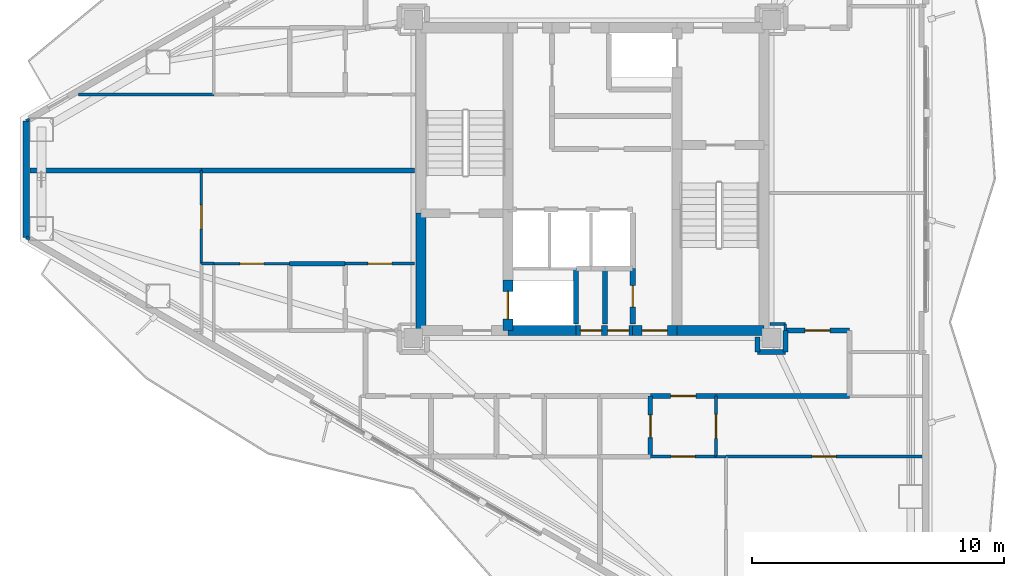
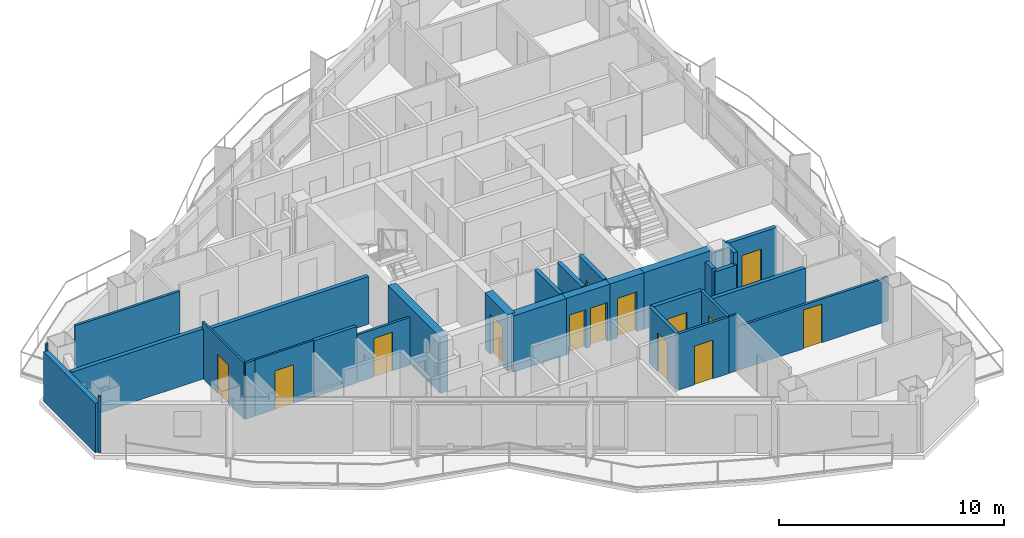
# One storey, part 13 of 19: 33 walls, 14 doors, 14 openings.
"""IFC4 building model written with IfcOpenShell, lengths in metres."""

from ifc_helpers import new_model, si_unit, direction, frame, frame_2d, origin, place, context, subcontext, project, spatial, rectangle, extrude, material, layer, layer_set, type_object, element, fill, save


model = new_model("IFC4")

# Units and contexts
model_context = context("Model", 3, precision=1e-05, world=origin(), true_north=direction((0.0, 1.0)))
body_context = subcontext(model_context, "Body", "Model", "MODEL_VIEW")
ifc_project = project(units=[si_unit("LENGTHUNIT", "METRE"), si_unit("AREAUNIT", "SQUARE_METRE"), si_unit("VOLUMEUNIT", "CUBIC_METRE"), si_unit("PLANEANGLEUNIT", "RADIAN"), si_unit("MASSUNIT", "GRAM", prefix="KILO")], contexts=[model_context])

# Site, building, storey
site_placement = place(None, origin())
site = spatial("IfcSite", under=ifc_project, at=site_placement, CompositionType="ELEMENT")
building_placement = place(site_placement, origin())
building = spatial("IfcBuilding", under=site, at=building_placement, Name="Mersakhor Tower and Convention Hall", CompositionType="ELEMENT")
storey_placement = place(building_placement, frame((0.0, 0.0, 144.300048828125)))
storey = spatial("IfcBuildingStorey", under=building, at=storey_placement, Name="L40", CompositionType="ELEMENT", Elevation=144.300048828125)

# Wall
ifc_material_1 = material(Name="Precast concrete C40/50", Category="concrete")
ifc_layer_1 = layer(ifc_material_1, 0.25)
ifc_layer_set_1 = layer_set([ifc_layer_1], Name="Precast concrete C40/50")
wall_type_1 = type_object("IfcWallType", Name="WL-EXT-250", PredefinedType="SOLIDWALL", material=ifc_layer_set_1)
wall_1_placement = place(storey_placement, frame((6.560302734375, 24.44140625, 0.0), z_axis=(0.0, 0.0, 1.0), x_axis=(0.0, 1.0, 0.0)))
element("IfcWall", 1, at=wall_1_placement, inside=storey, type_object=wall_type_1, Name="L40 Chamfer Braced Spandrel Wall C3", PredefinedType="SOLIDWALL", context=body_context, shape_type="SweptSolid", body=[
    extrude(rectangle(XDim=4.6171875, YDim=0.25, at=frame_2d((2.30859375, 0.0))), origin(), (0.0, 0.0, 1.0), 2.679931640625),
])

# Wall, opening, door
ifc_material_2 = material(Name="Moisture-resistant acoustic drywall studwork", Category="other")
ifc_layer_2 = layer(ifc_material_2, 0.175048828125)
ifc_layer_set_2 = layer_set([ifc_layer_2], Name="Moisture-resistant acoustic drywall studwork")
wall_type_2 = type_object("IfcWallType", Name="WL-PLM-175", PredefinedType="PLUMBINGWALL", material=ifc_layer_set_2)
wall_2_placement = place(storey_placement, frame((31.300048828125, 15.75, 0.0), z_axis=(0.0, 0.0, 1.0), x_axis=(0.0, 1.0, 0.0)))
wall_2 = element("IfcWall", 2, at=wall_2_placement, inside=storey, type_object=wall_type_2, Name="L40 Interior Partition Wall P-056", PredefinedType="PLUMBINGWALL", context=body_context, shape_type="SweptSolid", body=[
    extrude(rectangle(XDim=2.39990234375, YDim=0.175048828125, at=frame_2d((1.199951171875, 0.0))), origin(), (0.0, 0.0, 1.0), 3.06005859375),
])
opening_1_placement = place(wall_2_placement, frame((0.75, 0.0, 0.0)))
opening_1 = element("IfcOpeningElement", 3, at=opening_1_placement, cuts=wall_2, Name="Opening WD-01", PredefinedType="OPENING", context=body_context, shape_type="SweptSolid", body=[
    extrude(rectangle(XDim=0.89990234375, YDim=2.10009765625, at=frame_2d((0.449951171875, 1.050048828125))), frame((0.0, 0.097412109375, 0.0), z_axis=(0.0, -1.0, 0.0), x_axis=(1.0, 0.0, 0.0)), (0.0, 0.0, 1.0), 0.195068359375),
])
ifc_material_3 = material(Name="Solid-core hardwood leaf in painted steel frame", Category="steel")
door_type_1 = type_object("IfcDoorType", Name="DR-INT-WET-090x210", OperationType="NOTDEFINED", PredefinedType="DOOR", material=ifc_material_3)
door_1_placement = place(opening_1_placement, origin())
door_1 = element("IfcDoor", 4, at=door_1_placement, inside=storey, type_object=door_type_1, Name="L40 L40 Flat S4 Apartment Hall to L40 Flat S4 Bathroom Door", OperationType="SINGLE_SWING_LEFT", OverallHeight=2.10009765625, OverallWidth=0.89990234375, PredefinedType="DOOR", context=body_context, shape_type="SweptSolid", body=[
    extrude(rectangle(XDim=0.89990234375, YDim=2.10009765625, at=frame_2d((0.449951171875, 1.050048828125))), frame((0.0, 0.02490234375, 0.0), z_axis=(0.0, -1.0, 0.0), x_axis=(1.0, 0.0, 0.0)), (0.0, 0.0, 1.0), 0.050048828125),
])
fill(opening_1, door_1)

# Walls
wall_3_placement = place(storey_placement, frame((17.0, 23.39990234375, 0.0), z_axis=(0.0, 0.0, 1.0), x_axis=(1.0, 0.0, 0.0)))
element("IfcWall", 5, at=wall_3_placement, inside=storey, type_object=wall_type_2, Name="L40 Interior Partition Wall P-091", PredefinedType="PLUMBINGWALL", context=body_context, shape_type="SweptSolid", body=[
    extrude(rectangle(XDim=2.199951171875, YDim=0.175048828125, at=frame_2d((1.10009765625, 0.0))), origin(), (0.0, 0.0, 1.0), 3.06005859375),
])
ifc_material_4 = material(Name="Lightweight gypsum partition", Category="other")
ifc_layer_3 = layer(ifc_material_4, 0.10009765625)
ifc_layer_set_3 = layer_set([ifc_layer_3], Name="Lightweight gypsum partition")
wall_type_3 = type_object("IfcWallType", Name="WL-PRT-100", PredefinedType="PARTITIONING", material=ifc_layer_set_3)
wall_4_placement = place(storey_placement, frame((34.300048828125, 15.75, 0.0), z_axis=(0.0, 0.0, 1.0), x_axis=(-1.0, 0.0, 0.0)))
element("IfcWall", 6, at=wall_4_placement, inside=storey, type_object=wall_type_3, Name="L40 Interior Partition Wall P-084", PredefinedType="PARTITIONING", context=body_context, shape_type="SweptSolid", body=[
    extrude(rectangle(XDim=0.400146484375, YDim=0.10009765625, at=frame_2d((0.2001953125, 0.0))), origin(), (0.0, 0.0, 1.0), 3.06005859375),
])

# Wall, opening, door
wall_5_placement = place(storey_placement, frame((14.0, 23.39990234375, 0.0), z_axis=(0.0, 0.0, 1.0), x_axis=(1.0, 0.0, 0.0)))
wall_5 = element("IfcWall", 7, at=wall_5_placement, inside=storey, type_object=wall_type_3, Name="L40 Interior Partition Wall P-094", PredefinedType="PARTITIONING", context=body_context, shape_type="SweptSolid", body=[
    extrude(rectangle(XDim=3.0, YDim=0.10009765625, at=frame_2d((1.5, 0.0))), origin(), (0.0, 0.0, 1.0), 3.06005859375),
])
opening_2_placement = place(wall_5_placement, frame((1.02490234375, 0.0, 0.0)))
opening_2 = element("IfcOpeningElement", 8, at=opening_2_placement, cuts=wall_5, Name="Opening RD-01", PredefinedType="OPENING", context=body_context, shape_type="SweptSolid", body=[
    extrude(rectangle(XDim=0.949951171875, YDim=2.10009765625, at=frame_2d((0.47509765625, 1.050048828125))), frame((0.0, 0.06005859375, 0.0), z_axis=(0.0, -1.0, 0.0), x_axis=(1.0, 0.0, 0.0)), (0.0, 0.0, 1.0), 0.1201171875),
])
ifc_material_5 = material(Name="Solid-core hardwood leaf in painted steel frame", Category="steel")
door_type_2 = type_object("IfcDoorType", Name="DR-INT-RM-095x210", OperationType="NOTDEFINED", PredefinedType="DOOR", material=ifc_material_5)
door_2_placement = place(opening_2_placement, origin())
door_2 = element("IfcDoor", 9, at=door_2_placement, inside=storey, type_object=door_type_2, Name="L40 L40 Flat W6 Kitchen to L40 Flat W6 Living and Dining Room Door", OperationType="SINGLE_SWING_RIGHT", OverallHeight=2.10009765625, OverallWidth=0.949951171875, PredefinedType="DOOR", context=body_context, shape_type="SweptSolid", body=[
    extrude(rectangle(XDim=0.949951171875, YDim=2.10009765625, at=frame_2d((0.47509765625, 1.050048828125))), frame((0.0, 0.02490234375, 0.0), z_axis=(0.0, -1.0, 0.0), x_axis=(1.0, 0.0, 0.0)), (0.0, 0.0, 1.0), 0.050048828125),
])
fill(opening_2, door_2)

# Walls
wall_6_placement = place(storey_placement, frame((36.64990234375, 20.75, 0.0), z_axis=(0.0, 0.0, 1.0), x_axis=(0.0, 1.0, 0.0)))
element("IfcWall", 10, at=wall_6_placement, inside=storey, type_object=wall_type_3, Name="L40 Interior Partition Wall P-104", PredefinedType="PARTITIONING", context=body_context, shape_type="SweptSolid", body=[
    extrude(rectangle(XDim=0.25, YDim=0.10009765625, at=frame_2d((0.125, 0.0))), origin(), (0.0, 0.0, 1.0), 3.06005859375),
])
wall_7_placement = place(storey_placement, frame((6.56005859375, 29.05908203125, 0.0), z_axis=(0.0, 0.0, 1.0), x_axis=(0.866131372301, 0.499816412211, 0.0)))
element("IfcWall", 11, at=wall_7_placement, inside=storey, type_object=wall_type_3, Name="L40 Interior Partition Wall P-134", PredefinedType="PARTITIONING", context=body_context, shape_type="SweptSolid", body=[
    extrude(rectangle(XDim=0.14990234375, YDim=0.10009765625, at=frame_2d((0.074951171875, 0.0))), origin(), (0.0, 0.0, 1.0), 3.06005859375),
])

# Wall, opening, door
wall_8_placement = place(storey_placement, frame((13.5, 23.39990234375, 0.0), z_axis=(0.0, 0.0, 1.0), x_axis=(0.0, 1.0, 0.0)))
wall_8 = element("IfcWall", 12, at=wall_8_placement, inside=storey, type_object=wall_type_3, Name="L40 Interior Partition Wall P-136", PredefinedType="PARTITIONING", context=body_context, shape_type="SweptSolid", body=[
    extrude(rectangle(XDim=3.7001953125, YDim=0.10009765625, at=frame_2d((1.85009765625, 0.0))), origin(), (0.0, 0.0, 1.0), 3.06005859375),
])
opening_3_placement = place(wall_8_placement, frame((1.375, 0.0, 0.0)))
opening_3 = element("IfcOpeningElement", 13, at=opening_3_placement, cuts=wall_8, Name="Opening RD-01", PredefinedType="OPENING", context=body_context, shape_type="SweptSolid", body=[
    extrude(rectangle(XDim=0.949951171875, YDim=2.10009765625, at=frame_2d((0.47509765625, 1.050048828125))), frame((0.0, 0.06005859375, 0.0), z_axis=(0.0, -1.0, 0.0), x_axis=(1.0, 0.0, 0.0)), (0.0, 0.0, 1.0), 0.1201171875),
])
door_3_placement = place(opening_3_placement, origin())
door_3 = element("IfcDoor", 14, at=door_3_placement, inside=storey, type_object=door_type_2, Name="L40 L40 Flat W6 Living and Dining Room to L40 Flat W6 Bedroom 1 Door", OperationType="SINGLE_SWING_RIGHT", OverallHeight=2.10009765625, OverallWidth=0.949951171875, PredefinedType="DOOR", context=body_context, shape_type="SweptSolid", body=[
    extrude(rectangle(XDim=0.949951171875, YDim=2.10009765625, at=frame_2d((0.47509765625, 1.050048828125))), frame((0.0, 0.02490234375, 0.0), z_axis=(0.0, -1.0, 0.0), x_axis=(1.0, 0.0, 0.0)), (0.0, 0.0, 1.0), 0.050048828125),
])
fill(opening_3, door_3)

ifc_material_6 = material(Name="Gypsum board acoustic partition", Category="other")
ifc_layer_4 = layer(ifc_material_6, 0.125)
ifc_layer_set_4 = layer_set([ifc_layer_4], Name="Gypsum board acoustic partition")
wall_type_4 = type_object("IfcWallType", Name="WL-PRT-125", PredefinedType="PARTITIONING", material=ifc_layer_set_4)
wall_9_placement = place(storey_placement, frame((33.89990234375, 15.75, 0.0), z_axis=(0.0, 0.0, 1.0), x_axis=(-1.0, 0.0, 0.0)))
wall_9 = element("IfcWall", 15, at=wall_9_placement, inside=storey, type_object=wall_type_4, Name="L40 Interior Partition Wall P-055", PredefinedType="PARTITIONING", context=body_context, shape_type="SweptSolid", body=[
    extrude(rectangle(XDim=2.599853515625, YDim=0.125, at=frame_2d((1.2998046875, 0.0))), origin(), (0.0, 0.0, 1.0), 3.06005859375),
])
opening_4_placement = place(wall_9_placement, frame((0.824951171875, 0.0, 0.0)))
opening_4 = element("IfcOpeningElement", 16, at=opening_4_placement, cuts=wall_9, Name="Opening RD-01", PredefinedType="OPENING", context=body_context, shape_type="SweptSolid", body=[
    extrude(rectangle(XDim=0.949951171875, YDim=2.10009765625, at=frame_2d((0.47509765625, 1.050048828125))), frame((0.0, 0.072509765625, 0.0), z_axis=(0.0, -1.0, 0.0), x_axis=(1.0, 0.0, 0.0)), (0.0, 0.0, 1.0), 0.14501953125),
])
door_4_placement = place(opening_4_placement, origin())
door_4 = element("IfcDoor", 17, at=door_4_placement, inside=storey, type_object=door_type_2, Name="L40 L40 Flat S4 Apartment Hall to L40 Flat S4 Living and Dining Room Door", OperationType="SINGLE_SWING_LEFT", OverallHeight=2.10009765625, OverallWidth=0.949951171875, PredefinedType="DOOR", context=body_context, shape_type="SweptSolid", body=[
    extrude(rectangle(XDim=0.949951171875, YDim=2.10009765625, at=frame_2d((0.47509765625, 1.050048828125))), frame((0.0, 0.02490234375, 0.0), z_axis=(0.0, -1.0, 0.0), x_axis=(1.0, 0.0, 0.0)), (0.0, 0.0, 1.0), 0.050048828125),
])
fill(opening_4, door_4)

wall_10_placement = place(storey_placement, frame((33.89990234375, 18.14990234375, 0.0), z_axis=(0.0, 0.0, 1.0), x_axis=(0.0, -1.0, 0.0)))
wall_10 = element("IfcWall", 18, at=wall_10_placement, inside=storey, type_object=wall_type_4, Name="L40 Interior Partition Wall P-057", PredefinedType="PARTITIONING", context=body_context, shape_type="SweptSolid", body=[
    extrude(rectangle(XDim=2.39990234375, YDim=0.125, at=frame_2d((1.199951171875, 0.0))), origin(), (0.0, 0.0, 1.0), 3.06005859375),
])
opening_5_placement = place(wall_10_placement, frame((0.72509765625, 0.0, 0.0)))
opening_5 = element("IfcOpeningElement", 19, at=opening_5_placement, cuts=wall_10, Name="Opening RD-01", PredefinedType="OPENING", context=body_context, shape_type="SweptSolid", body=[
    extrude(rectangle(XDim=0.949951171875, YDim=2.10009765625, at=frame_2d((0.47509765625, 1.050048828125))), frame((0.0, 0.072509765625, 0.0), z_axis=(0.0, -1.0, 0.0), x_axis=(1.0, 0.0, 0.0)), (0.0, 0.0, 1.0), 0.14501953125),
])
door_5_placement = place(opening_5_placement, origin())
door_5 = element("IfcDoor", 20, at=door_5_placement, inside=storey, type_object=door_type_2, Name="L40 L40 Flat S4 Apartment Hall to L40 Flat S4 Kitchen Door", OperationType="SINGLE_SWING_RIGHT", OverallHeight=2.10009765625, OverallWidth=0.949951171875, PredefinedType="DOOR", context=body_context, shape_type="SweptSolid", body=[
    extrude(rectangle(XDim=0.949951171875, YDim=2.10009765625, at=frame_2d((0.47509765625, 1.050048828125))), frame((0.0, 0.02490234375, 0.0), z_axis=(0.0, -1.0, 0.0), x_axis=(1.0, 0.0, 0.0)), (0.0, 0.0, 1.0), 0.050048828125),
])
fill(opening_5, door_5)

wall_11_placement = place(storey_placement, frame((19.199951171875, 23.39990234375, 0.0), z_axis=(0.0, 0.0, 1.0), x_axis=(1.0, 0.0, 0.0)))
wall_11 = element("IfcWall", 21, at=wall_11_placement, inside=storey, type_object=wall_type_4, Name="L40 Interior Partition Wall P-065", PredefinedType="PARTITIONING", context=body_context, shape_type="SweptSolid", body=[
    extrude(rectangle(XDim=2.75, YDim=0.125, at=frame_2d((1.375, 0.0))), origin(), (0.0, 0.0, 1.0), 2.5849609375),
])
opening_6_placement = place(wall_11_placement, frame((0.89990234375, 0.0, 0.0)))
opening_6 = element("IfcOpeningElement", 22, at=opening_6_placement, cuts=wall_11, Name="Opening RD-01", PredefinedType="OPENING", context=body_context, shape_type="SweptSolid", body=[
    extrude(rectangle(XDim=0.949951171875, YDim=2.10009765625, at=frame_2d((0.47509765625, 1.050048828125))), frame((0.0, 0.072509765625, 0.0), z_axis=(0.0, -1.0, 0.0), x_axis=(1.0, 0.0, 0.0)), (0.0, 0.0, 1.0), 0.14501953125),
])
door_6_placement = place(opening_6_placement, origin())
door_6 = element("IfcDoor", 23, at=door_6_placement, inside=storey, type_object=door_type_2, Name="L40 L40 Flat W6 Apartment Hall to L40 Flat W6 Living and Dining Room Door", OperationType="SINGLE_SWING_LEFT", OverallHeight=2.10009765625, OverallWidth=0.949951171875, PredefinedType="DOOR", context=body_context, shape_type="SweptSolid", body=[
    extrude(rectangle(XDim=0.949951171875, YDim=2.10009765625, at=frame_2d((0.47509765625, 1.050048828125))), frame((0.0, 0.02490234375, 0.0), z_axis=(0.0, -1.0, 0.0), x_axis=(1.0, 0.0, 0.0)), (0.0, 0.0, 1.0), 0.050048828125),
])
fill(opening_6, door_6)

wall_12_placement = place(storey_placement, frame((42.0703125, 15.75, 0.0), z_axis=(0.0, 0.0, 1.0), x_axis=(-1.0, 0.0, 0.0)))
wall_12 = element("IfcWall", 24, at=wall_12_placement, inside=storey, type_object=wall_type_4, Name="L40 Interior Partition Wall P-083", PredefinedType="PARTITIONING", context=body_context, shape_type="SweptSolid", body=[
    extrude(rectangle(XDim=7.770263671875, YDim=0.125, at=frame_2d((3.88525390625, 0.0))), origin(), (0.0, 0.0, 1.0), 2.364990234375),
])
opening_7_placement = place(wall_12_placement, frame((3.41015625, 0.0, 0.0)))
opening_7 = element("IfcOpeningElement", 25, at=opening_7_placement, cuts=wall_12, Name="Opening RD-01", PredefinedType="OPENING", context=body_context, shape_type="SweptSolid", body=[
    extrude(rectangle(XDim=0.949951171875, YDim=2.10009765625, at=frame_2d((0.47509765625, 1.050048828125))), frame((0.0, 0.072509765625, 0.0), z_axis=(0.0, -1.0, 0.0), x_axis=(1.0, 0.0, 0.0)), (0.0, 0.0, 1.0), 0.14501953125),
])
door_7_placement = place(opening_7_placement, origin())
door_7 = element("IfcDoor", 26, at=door_7_placement, inside=storey, type_object=door_type_2, Name="L40 L40 Flat S4 Kitchen to L40 Flat S4 Dining Room Door", OperationType="SINGLE_SWING_RIGHT", OverallHeight=2.10009765625, OverallWidth=0.949951171875, PredefinedType="DOOR", context=body_context, shape_type="SweptSolid", body=[
    extrude(rectangle(XDim=0.949951171875, YDim=2.10009765625, at=frame_2d((0.47509765625, 1.050048828125))), frame((0.0, 0.02490234375, 0.0), z_axis=(0.0, -1.0, 0.0), x_axis=(1.0, 0.0, 0.0)), (0.0, 0.0, 1.0), 0.050048828125),
])
fill(opening_7, door_7)

# Walls
wall_13_placement = place(storey_placement, frame((36.64990234375, 21.0, 0.0), z_axis=(0.0, 0.0, 1.0), x_axis=(-1.0, 0.0, 0.0)))
element("IfcWall", 27, at=wall_13_placement, inside=storey, type_object=wall_type_4, Name="L40 Interior Partition Wall P-105", PredefinedType="PARTITIONING", context=body_context, shape_type="SweptSolid", body=[
    extrude(rectangle(XDim=0.599853515625, YDim=0.125, at=frame_2d((0.2998046875, 0.0))), origin(), (0.0, 0.0, 1.0), 2.5849609375),
])
wall_14_placement = place(storey_placement, frame((8.634765625, 30.10009765625, 0.0), z_axis=(0.0, 0.0, 1.0), x_axis=(1.0, 0.0, 0.0)))
element("IfcWall", 28, at=wall_14_placement, inside=storey, type_object=wall_type_4, Name="L40 Interior Partition Wall P-131", PredefinedType="PARTITIONING", context=body_context, shape_type="SweptSolid", body=[
    extrude(rectangle(XDim=5.365234375, YDim=0.125, at=frame_2d((2.6826171875, 0.0))), origin(), (0.0, 0.0, 1.0), 2.724365234375),
])
wall_15_placement = place(storey_placement, frame((14.0, 23.39990234375, 0.0), z_axis=(0.0, 0.0, 1.0), x_axis=(-1.0, 0.0, 0.0)))
element("IfcWall", 29, at=wall_15_placement, inside=storey, type_object=wall_type_4, Name="L40 Interior Partition Wall P-135", PredefinedType="PARTITIONING", context=body_context, shape_type="SweptSolid", body=[
    extrude(rectangle(XDim=0.5, YDim=0.125, at=frame_2d((0.25, 0.0))), origin(), (0.0, 0.0, 1.0), 3.06005859375),
])
wall_16_placement = place(storey_placement, frame((6.68994140625, 24.365966796875, 0.0), z_axis=(0.0, 0.0, 1.0), x_axis=(-0.866131372301, 0.499816412211, 0.0)))
element("IfcWall", 30, at=wall_16_placement, inside=storey, type_object=wall_type_4, Name="L40 Interior Partition Wall P-139", PredefinedType="PARTITIONING", context=body_context, shape_type="SweptSolid", body=[
    extrude(rectangle(XDim=0.14990234375, YDim=0.125, at=frame_2d((0.074951171875, 0.0))), origin(), (0.0, 0.0, 1.0), 3.06005859375),
])
ifc_material_7 = material(Name="Acoustic concrete blockwork and gypsum board", Category="masonry")
ifc_layer_5 = layer(ifc_material_7, 0.199951171875)
ifc_layer_set_5 = layer_set([ifc_layer_5], Name="Acoustic concrete blockwork and gypsum board")
wall_type_5 = type_object("IfcWallType", Name="WL-PRT-200", PredefinedType="PARTITIONING", material=ifc_layer_set_5)
wall_17_placement = place(storey_placement, frame((28.35009765625, 23.199951171875, 0.0), z_axis=(0.0, 0.0, 1.0), x_axis=(0.0, -1.0, 0.0)))
element("IfcWall", 31, at=wall_17_placement, inside=storey, type_object=wall_type_5, Name="L40 Interior Partition Wall P-003", PredefinedType="PARTITIONING", context=body_context, shape_type="SweptSolid", body=[
    extrude(rectangle(XDim=2.199951171875, YDim=0.199951171875, at=frame_2d((1.10009765625, 0.0))), origin(), (0.0, 0.0, 1.0), 3.06005859375),
])

# Wall, opening, door
wall_18_placement = place(storey_placement, frame((30.60009765625, 21.0, 0.0), z_axis=(0.0, 0.0, 1.0), x_axis=(0.0, 1.0, 0.0)))
wall_18 = element("IfcWall", 32, at=wall_18_placement, inside=storey, type_object=wall_type_5, Name="L40 Interior Partition Wall P-012", PredefinedType="PARTITIONING", context=body_context, shape_type="SweptSolid", body=[
    extrude(rectangle(XDim=2.199951171875, YDim=0.199951171875, at=frame_2d((1.10009765625, 0.0))), origin(), (0.0, 0.0, 1.0), 3.06005859375),
])
opening_8_placement = place(wall_18_placement, frame((0.675048828125, 0.0, 0.0)))
opening_8 = element("IfcOpeningElement", 33, at=opening_8_placement, cuts=wall_18, Name="Opening SVD-01", PredefinedType="OPENING", context=body_context, shape_type="SweptSolid", body=[
    extrude(rectangle(XDim=0.85009765625, YDim=2.10009765625, at=frame_2d((0.425048828125, 1.050048828125))), frame((0.0, 0.10986328125, 0.0), z_axis=(0.0, -1.0, 0.0), x_axis=(1.0, 0.0, 0.0)), (0.0, 0.0, 1.0), 0.219970703125),
])
ifc_material_8 = material(Name="Fire-rated hardwood leaf and painted steel frame", Category="steel")
door_type_3 = type_object("IfcDoorType", Name="DR-INT-SVC-085x210", OperationType="NOTDEFINED", PredefinedType="DOOR", material=ifc_material_8)
door_8_placement = place(opening_8_placement, origin())
door_8 = element("IfcDoor", 34, at=door_8_placement, inside=storey, type_object=door_type_3, Name="L40 Central Passenger Lift Lobby to Cleaner Store Room Door", OperationType="SINGLE_SWING_RIGHT", OverallHeight=2.10009765625, OverallWidth=0.85009765625, PredefinedType="DOOR", context=body_context, shape_type="SweptSolid", body=[
    extrude(rectangle(XDim=0.85009765625, YDim=2.10009765625, at=frame_2d((0.425048828125, 1.050048828125))), frame((0.0, 0.02490234375, 0.0), z_axis=(0.0, -1.0, 0.0), x_axis=(1.0, 0.0, 0.0)), (0.0, 0.0, 1.0), 0.050048828125),
])
fill(opening_8, door_8)

# Walls
wall_19_placement = place(storey_placement, frame((35.550048828125, 20.5, 0.0), z_axis=(0.0, 0.0, 1.0), x_axis=(0.0, -1.0, 0.0)))
element("IfcWall", 35, at=wall_19_placement, inside=storey, type_object=wall_type_5, Name="L40 Interior Partition Wall P-035", PredefinedType="PARTITIONING", context=body_context, shape_type="SweptSolid", body=[
    extrude(rectangle(XDim=0.60009765625, YDim=0.199951171875, at=frame_2d((0.300048828125, 0.0))), origin(), (0.0, 0.0, 1.0), 2.5849609375),
])
wall_20_placement = place(storey_placement, frame((35.550048828125, 19.89990234375, 0.0), z_axis=(0.0, 0.0, 1.0), x_axis=(1.0, 0.0, 0.0)))
element("IfcWall", 36, at=wall_20_placement, inside=storey, type_object=wall_type_5, Name="L40 Interior Partition Wall P-036", PredefinedType="PARTITIONING", context=body_context, shape_type="SweptSolid", body=[
    extrude(rectangle(XDim=1.099853515625, YDim=0.199951171875, at=frame_2d((0.5498046875, 0.0))), origin(), (0.0, 0.0, 1.0), 2.432861328125),
])
wall_21_placement = place(storey_placement, frame((36.64990234375, 19.89990234375, 0.0), z_axis=(0.0, 0.0, 1.0), x_axis=(0.0, 1.0, 0.0)))
element("IfcWall", 37, at=wall_21_placement, inside=storey, type_object=wall_type_5, Name="L40 Interior Partition Wall P-037", PredefinedType="PARTITIONING", context=body_context, shape_type="SweptSolid", body=[
    extrude(rectangle(XDim=0.85009765625, YDim=0.199951171875, at=frame_2d((0.425048828125, 0.0))), origin(), (0.0, 0.0, 1.0), 3.06005859375),
])

# Wall, opening, door
wall_22_placement = place(storey_placement, frame((36.64990234375, 20.75, 0.0), z_axis=(0.0, 0.0, 1.0), x_axis=(1.0, 0.0, 0.0)))
wall_22 = element("IfcWall", 38, at=wall_22_placement, inside=storey, type_object=wall_type_5, Name="L40 Interior Partition Wall P-038", PredefinedType="PARTITIONING", context=body_context, shape_type="SweptSolid", body=[
    extrude(rectangle(XDim=2.550048828125, YDim=0.199951171875, at=frame_2d((1.27490234375, 0.0))), origin(), (0.0, 0.0, 1.0), 3.06005859375),
])
opening_9_placement = place(wall_22_placement, frame((0.77490234375, 0.0, 0.0)))
opening_9 = element("IfcOpeningElement", 39, at=opening_9_placement, cuts=wall_22, Name="Opening FD-01", PredefinedType="OPENING", context=body_context, shape_type="SweptSolid", body=[
    extrude(rectangle(XDim=1.0, YDim=2.14990234375, at=frame_2d((0.5, 1.074951171875))), frame((0.0, 0.10986328125, 0.0), z_axis=(0.0, -1.0, 0.0), x_axis=(1.0, 0.0, 0.0)), (0.0, 0.0, 1.0), 0.219970703125),
])
ifc_material_9 = material(Name="Fire-rated hardwood leaf and painted steel frame", Category="steel")
door_type_4 = type_object("IfcDoorType", Name="DR-INT-FLT-100x215", OperationType="NOTDEFINED", PredefinedType="DOOR", material=ifc_material_9)
door_9_placement = place(opening_9_placement, origin())
door_9 = element("IfcDoor", 40, at=door_9_placement, inside=storey, type_object=door_type_4, Name="L40 Residential South Gallery Corridor to L40 East Wing Shared Tea Pantry Door", OperationType="SINGLE_SWING_LEFT", OverallHeight=2.14990234375, OverallWidth=1.0, PredefinedType="DOOR", context=body_context, shape_type="SweptSolid", body=[
    extrude(rectangle(XDim=1.0, YDim=2.14990234375, at=frame_2d((0.5, 1.074951171875))), frame((0.0, 0.02490234375, 0.0), z_axis=(0.0, -1.0, 0.0), x_axis=(1.0, 0.0, 0.0)), (0.0, 0.0, 1.0), 0.050048828125),
])
fill(opening_9, door_9)

# Wall
wall_23_placement = place(storey_placement, frame((39.199951171875, 18.14990234375, 0.0), z_axis=(0.0, 0.0, 1.0), x_axis=(-1.0, 0.0, 0.0)))
element("IfcWall", 41, at=wall_23_placement, inside=storey, type_object=wall_type_5, Name="L40 Interior Partition Wall P-041", PredefinedType="PARTITIONING", context=body_context, shape_type="SweptSolid", body=[
    extrude(rectangle(XDim=5.300048828125, YDim=0.199951171875, at=frame_2d((2.64990234375, 0.0))), origin(), (0.0, 0.0, 1.0), 2.432861328125),
])

# Wall, opening, door
wall_24_placement = place(storey_placement, frame((33.89990234375, 18.14990234375, 0.0), z_axis=(0.0, 0.0, 1.0), x_axis=(-1.0, 0.0, 0.0)))
wall_24 = element("IfcWall", 42, at=wall_24_placement, inside=storey, type_object=wall_type_5, Name="L40 Interior Partition Wall P-042", PredefinedType="PARTITIONING", context=body_context, shape_type="SweptSolid", body=[
    extrude(rectangle(XDim=2.599853515625, YDim=0.199951171875, at=frame_2d((1.2998046875, 0.0))), origin(), (0.0, 0.0, 1.0), 3.06005859375),
])
opening_10_placement = place(wall_24_placement, frame((0.800048828125, 0.0, 0.0)))
opening_10 = element("IfcOpeningElement", 43, at=opening_10_placement, cuts=wall_24, Name="Opening FD-01", PredefinedType="OPENING", context=body_context, shape_type="SweptSolid", body=[
    extrude(rectangle(XDim=1.0, YDim=2.14990234375, at=frame_2d((0.5, 1.074951171875))), frame((0.0, 0.10986328125, 0.0), z_axis=(0.0, -1.0, 0.0), x_axis=(1.0, 0.0, 0.0)), (0.0, 0.0, 1.0), 0.219970703125),
])
door_10_placement = place(opening_10_placement, origin())
door_10 = element("IfcDoor", 44, at=door_10_placement, inside=storey, type_object=door_type_4, Name="L40 Apartment Entrance Door (Residential South Gallery Corridor to L40 Flat S4 Apartment Hall)", OperationType="SINGLE_SWING_RIGHT", OverallHeight=2.14990234375, OverallWidth=1.0, PredefinedType="DOOR", context=body_context, shape_type="SweptSolid", body=[
    extrude(rectangle(XDim=1.0, YDim=2.14990234375, at=frame_2d((0.5, 1.074951171875))), frame((0.0, 0.02490234375, 0.0), z_axis=(0.0, -1.0, 0.0), x_axis=(1.0, 0.0, 0.0)), (0.0, 0.0, 1.0), 0.050048828125),
])
fill(opening_10, door_10)

# Walls
wall_25_placement = place(storey_placement, frame((29.5, 23.199951171875, 0.0), z_axis=(0.0, 0.0, 1.0), x_axis=(0.0, -1.0, 0.0)))
element("IfcWall", 45, at=wall_25_placement, inside=storey, type_object=wall_type_5, Name="L40 Interior Partition Wall P-098", PredefinedType="PARTITIONING", context=body_context, shape_type="SweptSolid", body=[
    extrude(rectangle(XDim=2.199951171875, YDim=0.199951171875, at=frame_2d((1.10009765625, 0.0))), origin(), (0.0, 0.0, 1.0), 3.06005859375),
])
wall_26_placement = place(storey_placement, frame((21.949951171875, 27.10009765625, 0.0), z_axis=(0.0, 0.0, 1.0), x_axis=(-1.0, 0.0, 0.0)))
element("IfcWall", 46, at=wall_26_placement, inside=storey, type_object=wall_type_5, Name="L40 Interior Partition Wall P-132", PredefinedType="PARTITIONING", context=body_context, shape_type="SweptSolid", body=[
    extrude(rectangle(XDim=8.449951171875, YDim=0.199951171875, at=frame_2d((4.22509765625, 0.0))), origin(), (0.0, 0.0, 1.0), 2.5849609375),
])
wall_27_placement = place(storey_placement, frame((13.5, 27.10009765625, 0.0), z_axis=(0.0, 0.0, 1.0), x_axis=(-1.0, 0.0, 0.0)))
element("IfcWall", 47, at=wall_27_placement, inside=storey, type_object=wall_type_5, Name="L40 Interior Partition Wall P-133", PredefinedType="PARTITIONING", context=body_context, shape_type="SweptSolid", body=[
    extrude(rectangle(XDim=6.790771484375, YDim=0.199951171875, at=frame_2d((3.3955078125, 0.0))), origin(), (0.0, 0.0, 1.0), 2.724365234375),
])
ifc_material_10 = material(Name="Concrete C60/75", Category="concrete")
ifc_layer_6 = layer(ifc_material_10, 0.39990234375)
ifc_layer_set_6 = layer_set([ifc_layer_6], Name="Concrete C60/75")
wall_type_6 = type_object("IfcWallType", Name="WL-SHR-400", PredefinedType="SHEAR", material=ifc_layer_set_6)
wall_28_placement = place(storey_placement, frame((22.199951171875, 20.75, 0.0), z_axis=(0.0, 0.0, 1.0), x_axis=(0.0, 1.0, 0.0)))
element("IfcWall", 48, at=wall_28_placement, inside=storey, type_object=wall_type_6, Name="L40 Core Wall CW-W1", PredefinedType="SHEAR", context=body_context, shape_type="SweptSolid", body=[
    extrude(rectangle(XDim=4.64990234375, YDim=0.39990234375, at=frame_2d((2.324951171875, 0.0))), origin(), (0.0, 0.0, 1.0), 3.06005859375),
])
wall_29_placement = place(storey_placement, frame((35.800048828125, 20.75, 0.0), z_axis=(0.0, 0.0, 1.0), x_axis=(-1.0, 0.0, 0.0)))
element("IfcWall", 49, at=wall_29_placement, inside=storey, type_object=wall_type_6, Name="L40 Core Wall CW-S1", PredefinedType="SHEAR", context=body_context, shape_type="SweptSolid", body=[
    extrude(rectangle(XDim=3.449951171875, YDim=0.39990234375, at=frame_2d((1.72509765625, 0.0))), origin(), (0.0, 0.0, 1.0), 3.06005859375),
])

# Wall, opening, door
wall_30_placement = place(storey_placement, frame((32.35009765625, 20.75, 0.0), z_axis=(0.0, 0.0, 1.0), x_axis=(-1.0, 0.0, 0.0)))
wall_30 = element("IfcWall", 50, at=wall_30_placement, inside=storey, type_object=wall_type_6, Name="L40 Core Wall CW-S2A", PredefinedType="SHEAR", context=body_context, shape_type="SweptSolid", body=[
    extrude(rectangle(XDim=1.75, YDim=0.39990234375, at=frame_2d((0.875, 0.0))), origin(), (0.0, 0.0, 1.0), 3.06005859375),
])
opening_11_placement = place(wall_30_placement, frame((0.375, 0.0, 0.0)))
opening_11 = element("IfcOpeningElement", 51, at=opening_11_placement, cuts=wall_30, Name="Opening CFD-01", PredefinedType="OPENING", context=body_context, shape_type="SweptSolid", body=[
    extrude(rectangle(XDim=1.0, YDim=2.14990234375, at=frame_2d((0.5, 1.074951171875))), frame((0.0, 0.2099609375, 0.0), z_axis=(0.0, -1.0, 0.0), x_axis=(1.0, 0.0, 0.0)), (0.0, 0.0, 1.0), 0.419921875),
])
ifc_material_11 = material(Name="Fire-rated hardwood leaf and painted steel frame", Category="steel")
door_type_5 = type_object("IfcDoorType", Name="DR-CORE-FD-100x215", OperationType="NOTDEFINED", PredefinedType="DOOR", material=ifc_material_11)
door_11_placement = place(opening_11_placement, origin())
door_11 = element("IfcDoor", 52, at=door_11_placement, inside=storey, type_object=door_type_5, Name="L40 Lift Lobby South Corridor Door", OperationType="SINGLE_SWING_RIGHT", OverallHeight=2.14990234375, OverallWidth=1.0, PredefinedType="DOOR", context=body_context, shape_type="SweptSolid", body=[
    extrude(rectangle(XDim=1.0, YDim=2.14990234375, at=frame_2d((0.5, 1.074951171875))), frame((0.0, 0.02490234375, 0.0), z_axis=(0.0, -1.0, 0.0), x_axis=(1.0, 0.0, 0.0)), (0.0, 0.0, 1.0), 0.050048828125),
])
fill(opening_11, door_11)

# Wall, openings, doors
wall_31_placement = place(storey_placement, frame((30.60009765625, 20.75, 0.0), z_axis=(0.0, 0.0, 1.0), x_axis=(-1.0, 0.0, 0.0)))
wall_31 = element("IfcWall", 53, at=wall_31_placement, inside=storey, type_object=wall_type_6, Name="L40 Core Wall CW-S2B", PredefinedType="SHEAR", context=body_context, shape_type="SweptSolid", body=[
    extrude(rectangle(XDim=2.25, YDim=0.39990234375, at=frame_2d((1.125, 0.0))), origin(), (0.0, 0.0, 1.0), 3.06005859375),
])
opening_12_placement = place(wall_31_placement, frame((1.22998046875, 0.0, 0.0)))
opening_12 = element("IfcOpeningElement", 54, at=opening_12_placement, cuts=wall_31, Name="Opening SVD-01", PredefinedType="OPENING", context=body_context, shape_type="SweptSolid", body=[
    extrude(rectangle(XDim=0.85009765625, YDim=2.10009765625, at=frame_2d((0.425048828125, 1.050048828125))), frame((0.0, 0.2099609375, 0.0), z_axis=(0.0, -1.0, 0.0), x_axis=(1.0, 0.0, 0.0)), (0.0, 0.0, 1.0), 0.419921875),
])
opening_13_placement = place(wall_31_placement, frame((0.14501953125, 0.0, 0.0)))
opening_13 = element("IfcOpeningElement", 55, at=opening_13_placement, cuts=wall_31, Name="Opening SVD-01", PredefinedType="OPENING", context=body_context, shape_type="SweptSolid", body=[
    extrude(rectangle(XDim=0.85009765625, YDim=2.10009765625, at=frame_2d((0.425048828125, 1.050048828125))), frame((0.0, 0.2099609375, 0.0), z_axis=(0.0, -1.0, 0.0), x_axis=(1.0, 0.0, 0.0)), (0.0, 0.0, 1.0), 0.419921875),
])
door_12_placement = place(opening_12_placement, origin())
door_12 = element("IfcDoor", 56, at=door_12_placement, inside=storey, type_object=door_type_3, Name="L40 Residential South Gallery Corridor to Mechanical Valve Plant Room Door", OperationType="SINGLE_SWING_LEFT", OverallHeight=2.10009765625, OverallWidth=0.85009765625, PredefinedType="DOOR", context=body_context, shape_type="SweptSolid", body=[
    extrude(rectangle(XDim=0.85009765625, YDim=2.10009765625, at=frame_2d((0.425048828125, 1.050048828125))), frame((0.0, 0.02490234375, 0.0), z_axis=(0.0, -1.0, 0.0), x_axis=(1.0, 0.0, 0.0)), (0.0, 0.0, 1.0), 0.050048828125),
])
fill(opening_12, door_12)
door_13_placement = place(opening_13_placement, origin())
door_13 = element("IfcDoor", 57, at=door_13_placement, inside=storey, type_object=door_type_3, Name="L40 Residential South Gallery Corridor to Cleaner Store Room Door", OperationType="SINGLE_SWING_RIGHT", OverallHeight=2.10009765625, OverallWidth=0.85009765625, PredefinedType="DOOR", context=body_context, shape_type="SweptSolid", body=[
    extrude(rectangle(XDim=0.85009765625, YDim=2.10009765625, at=frame_2d((0.425048828125, 1.050048828125))), frame((0.0, 0.02490234375, 0.0), z_axis=(0.0, -1.0, 0.0), x_axis=(1.0, 0.0, 0.0)), (0.0, 0.0, 1.0), 0.050048828125),
])
fill(opening_13, door_13)

# Wall
wall_32_placement = place(storey_placement, frame((28.35009765625, 20.75, 0.0), z_axis=(0.0, 0.0, 1.0), x_axis=(-1.0, 0.0, 0.0)))
element("IfcWall", 58, at=wall_32_placement, inside=storey, type_object=wall_type_6, Name="L40 Core Wall CW-S3", PredefinedType="SHEAR", context=body_context, shape_type="SweptSolid", body=[
    extrude(rectangle(XDim=2.7001953125, YDim=0.39990234375, at=frame_2d((1.35009765625, 0.0))), origin(), (0.0, 0.0, 1.0), 3.06005859375),
])

# Wall, opening, door
wall_33_placement = place(storey_placement, frame((25.64990234375, 20.75, 0.0), z_axis=(0.0, 0.0, 1.0), x_axis=(0.0, 1.0, 0.0)))
wall_33 = element("IfcWall", 59, at=wall_33_placement, inside=storey, type_object=wall_type_6, Name="L40 Core Wall CS-W-FFL", PredefinedType="SHEAR", context=body_context, shape_type="SweptSolid", body=[
    extrude(rectangle(XDim=2.0, YDim=0.39990234375, at=frame_2d((1.0, 0.0))), origin(), (0.0, 0.0, 1.0), 3.06005859375),
])
opening_14_placement = place(wall_33_placement, frame((0.449951171875, 0.0, 0.0)))
opening_14 = element("IfcOpeningElement", 60, at=opening_14_placement, cuts=wall_33, Name="Opening LD-FFL1", PredefinedType="OPENING", context=body_context, shape_type="SweptSolid", body=[
    extrude(rectangle(XDim=1.10009765625, YDim=2.14990234375, at=frame_2d((0.550048828125, 1.074951171875))), frame((0.0, 0.2099609375, 0.0), z_axis=(0.0, -1.0, 0.0), x_axis=(1.0, 0.0, 0.0)), (0.0, 0.0, 1.0), 0.419921875),
])
ifc_material_12 = material(Name="Fire-rated brushed stainless steel sliding landing door", Category="steel")
door_type_6 = type_object("IfcDoorType", Name="DR-LIFT-SLD-110x215", OperationType="NOTDEFINED", PredefinedType="DOOR", material=ifc_material_12)
door_14_placement = place(opening_14_placement, origin())
door_14 = element("IfcDoor", 61, at=door_14_placement, inside=storey, type_object=door_type_6, Name="L40 Firefighting Lift Landing Door LD-FFL1", OperationType="SLIDING_TO_LEFT", OverallHeight=2.14990234375, OverallWidth=1.10009765625, PredefinedType="DOOR", context=body_context, shape_type="SweptSolid", body=[
    extrude(rectangle(XDim=1.10009765625, YDim=2.14990234375, at=frame_2d((0.550048828125, 1.074951171875))), frame((0.0, 0.02490234375, 0.0), z_axis=(0.0, -1.0, 0.0), x_axis=(1.0, 0.0, 0.0)), (0.0, 0.0, 1.0), 0.050048828125),
])
fill(opening_14, door_14)

save(model, "model.ifc")
